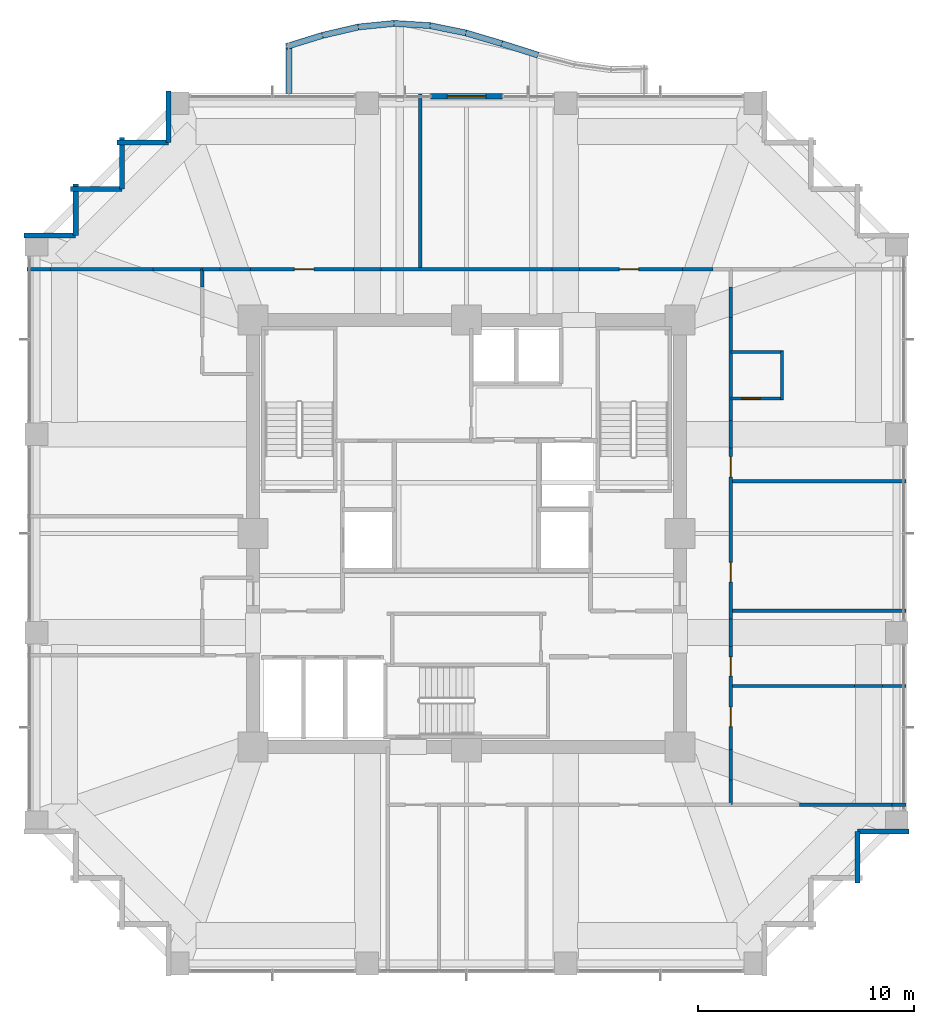
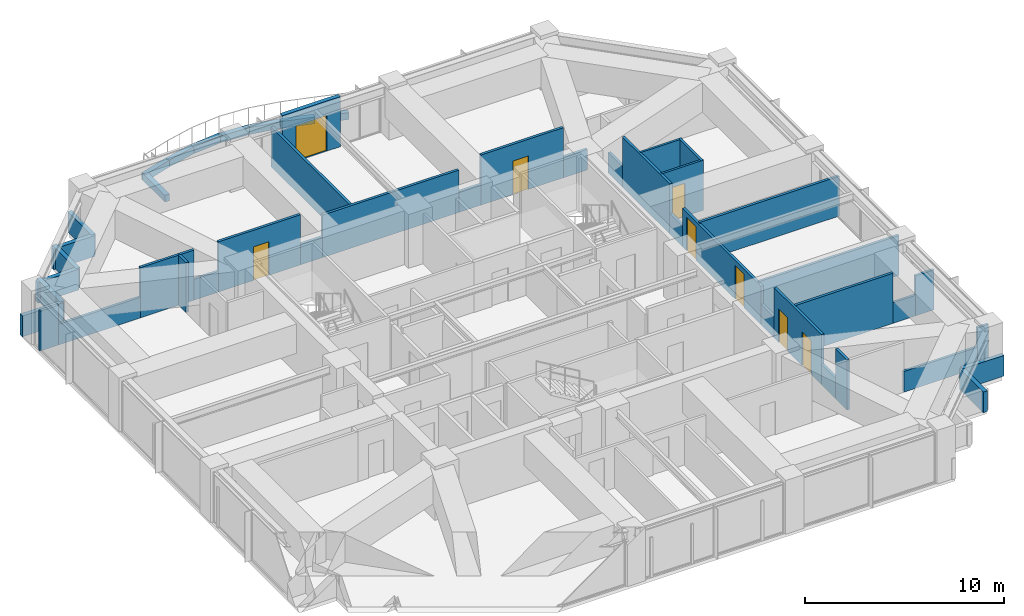
# One storey, part 32 of 34: 48 walls, 8 doors, 8 openings.
"""IFC4 building model written with IfcOpenShell, lengths in metres."""

from ifc_helpers import new_model, si_unit, direction, frame, frame_2d, origin, place, context, subcontext, project, spatial, rectangle, extrude, material, layer, layer_set, type_object, element, fill, save


model = new_model("IFC4")

# Units and contexts
model_context = context("Model", 3, precision=1e-05, world=origin(), true_north=direction((0.0, 1.0)))
body_context = subcontext(model_context, "Body", "Model", "MODEL_VIEW")
ifc_project = project(units=[si_unit("LENGTHUNIT", "METRE"), si_unit("AREAUNIT", "SQUARE_METRE"), si_unit("VOLUMEUNIT", "CUBIC_METRE"), si_unit("PLANEANGLEUNIT", "RADIAN"), si_unit("MASSUNIT", "GRAM", prefix="KILO")], contexts=[model_context])

# Site, building, storey
site_placement = place(None, origin())
site = spatial("IfcSite", under=ifc_project, at=site_placement, CompositionType="ELEMENT")
building_placement = place(site_placement, origin())
building = spatial("IfcBuilding", under=site, at=building_placement, Name="Kolvaren Belvedere", CompositionType="ELEMENT")
storey_placement = place(building_placement, frame((0.0, 0.0, 105.199951171875)))
storey = spatial("IfcBuildingStorey", under=building, at=storey_placement, Name="L30", CompositionType="ELEMENT", Elevation=105.199951171875)

# Walls
ifc_material_1 = material(Name="Gypsum fire-rated partition assembly", Category="gypsum")
ifc_layer_1 = layer(ifc_material_1, 0.14990234375)
ifc_layer_set_1 = layer_set([ifc_layer_1], Name="Gypsum fire-rated partition assembly")
wall_type_1 = type_object("IfcWallType", Name="WL-CORR-150", PredefinedType="PARTITIONING", material=ifc_layer_set_1)
wall_1_placement = place(storey_placement, frame((-12.260009765625, 12.260009765625, 0.0), z_axis=(0.0, 0.0, 1.0), x_axis=(1.0, 0.0, 0.0)))
element("IfcWall", 1, at=wall_1_placement, inside=storey, type_object=wall_type_1, Name="L30 North Corridor Wall", PredefinedType="PARTITIONING", context=body_context, shape_type="SweptSolid", body=[
    extrude(rectangle(XDim=0.829833984375, YDim=0.14990234375, at=frame_2d((0.4150390625, 0.0))), origin(), (0.0, 0.0, 1.0), 3.080078125),
])
wall_2_placement = place(storey_placement, frame((-11.43017578125, 12.260009765625, 0.0), z_axis=(0.0, 0.0, 1.0), x_axis=(1.0, 0.0, 0.0)))
element("IfcWall", 2, at=wall_2_placement, inside=storey, type_object=wall_type_1, Name="L30 North Corridor Wall", PredefinedType="PARTITIONING", context=body_context, shape_type="SweptSolid", body=[
    extrude(rectangle(XDim=1.416748046875, YDim=0.14990234375, at=frame_2d((0.70849609375, 0.0))), origin(), (0.0, 0.0, 1.0), 1.26513671875),
])

# Wall, opening, door
wall_3_placement = place(storey_placement, frame((-10.013427734375, 12.260009765625, 0.0), z_axis=(0.0, 0.0, 1.0), x_axis=(1.0, 0.0, 0.0)))
wall_3 = element("IfcWall", 3, at=wall_3_placement, inside=storey, type_object=wall_type_1, Name="L30 North Corridor Wall", PredefinedType="PARTITIONING", context=body_context, shape_type="SweptSolid", body=[
    extrude(rectangle(XDim=4.771484375, YDim=0.14990234375, at=frame_2d((2.3857421875, 0.0))), origin(), (0.0, 0.0, 1.0), 3.080078125),
])
opening_1_placement = place(wall_3_placement, frame((2.028564453125, 0.0, 0.0)))
opening_1 = element("IfcOpeningElement", 4, at=opening_1_placement, cuts=wall_3, Name="Opening D-INT90", PredefinedType="OPENING", context=body_context, shape_type="SweptSolid", body=[
    extrude(rectangle(XDim=0.89990234375, YDim=2.06005859375, at=frame_2d((0.449951171875, 1.030029296875))), frame((0.0, 0.0849609375, 0.0), z_axis=(0.0, -1.0, 0.0), x_axis=(1.0, 0.0, 0.0)), (0.0, 0.0, 1.0), 0.169921875),
])
ifc_material_2 = material(Name="Stained Pacific white oak", Category="timber")
door_type_1 = type_object("IfcDoorType", Name="DR-INT-900", OperationType="NOTDEFINED", PredefinedType="DOOR", material=ifc_material_2)
door_1_placement = place(opening_1_placement, origin())
door_1 = element("IfcDoor", 5, at=door_1_placement, inside=storey, type_object=door_type_1, Name="L30 Lounge 3001 Door", OperationType="SINGLE_SWING_LEFT", OverallHeight=2.06005859375, OverallWidth=0.89990234375, PredefinedType="DOOR", context=body_context, shape_type="SweptSolid", body=[
    extrude(rectangle(XDim=0.89990234375, YDim=2.06005859375, at=frame_2d((0.449951171875, 1.030029296875))), frame((0.0, 0.02490234375, 0.0), z_axis=(0.0, -1.0, 0.0), x_axis=(1.0, 0.0, 0.0)), (0.0, 0.0, 1.0), 0.050048828125),
])
fill(opening_1, door_1)

# Walls
wall_4_placement = place(storey_placement, frame((-5.241943359375, 12.260009765625, 0.0), z_axis=(0.0, 0.0, 1.0), x_axis=(1.0, 0.0, 0.0)))
element("IfcWall", 6, at=wall_4_placement, inside=storey, type_object=wall_type_1, Name="L30 North Corridor Wall", PredefinedType="PARTITIONING", context=body_context, shape_type="SweptSolid", body=[
    extrude(rectangle(XDim=1.283935546875, YDim=0.14990234375, at=frame_2d((0.64208984375, 0.0))), origin(), (0.0, 0.0, 1.0), 1.26513671875),
])
wall_5_placement = place(storey_placement, frame((-3.9580078125, 12.260009765625, 0.0), z_axis=(0.0, 0.0, 1.0), x_axis=(1.0, 0.0, 0.0)))
element("IfcWall", 7, at=wall_5_placement, inside=storey, type_object=wall_type_1, Name="L30 North Corridor Wall", PredefinedType="PARTITIONING", context=body_context, shape_type="SweptSolid", body=[
    extrude(rectangle(XDim=7.916015625, YDim=0.14990234375, at=frame_2d((3.9580078125, 0.0))), origin(), (0.0, 0.0, 1.0), 2.60498046875),
])
wall_6_placement = place(storey_placement, frame((3.9580078125, 12.260009765625, 0.0), z_axis=(0.0, 0.0, 1.0), x_axis=(1.0, 0.0, 0.0)))
element("IfcWall", 8, at=wall_6_placement, inside=storey, type_object=wall_type_1, Name="L30 North Corridor Wall", PredefinedType="PARTITIONING", context=body_context, shape_type="SweptSolid", body=[
    extrude(rectangle(XDim=1.283935546875, YDim=0.14990234375, at=frame_2d((0.64208984375, 0.0))), origin(), (0.0, 0.0, 1.0), 1.26513671875),
])

# Wall, opening, door
wall_7_placement = place(storey_placement, frame((5.241943359375, 12.260009765625, 0.0), z_axis=(0.0, 0.0, 1.0), x_axis=(1.0, 0.0, 0.0)))
wall_7 = element("IfcWall", 9, at=wall_7_placement, inside=storey, type_object=wall_type_1, Name="L30 North Corridor Wall", PredefinedType="PARTITIONING", context=body_context, shape_type="SweptSolid", body=[
    extrude(rectangle(XDim=4.771484375, YDim=0.14990234375, at=frame_2d((2.3857421875, 0.0))), origin(), (0.0, 0.0, 1.0), 3.080078125),
])
opening_2_placement = place(wall_7_placement, frame((1.843017578125, 0.0, 0.0)))
opening_2 = element("IfcOpeningElement", 10, at=opening_2_placement, cuts=wall_7, Name="Opening D-INT90", PredefinedType="OPENING", context=body_context, shape_type="SweptSolid", body=[
    extrude(rectangle(XDim=0.89990234375, YDim=2.06005859375, at=frame_2d((0.449951171875, 1.030029296875))), frame((0.0, 0.0849609375, 0.0), z_axis=(0.0, -1.0, 0.0), x_axis=(1.0, 0.0, 0.0)), (0.0, 0.0, 1.0), 0.169921875),
])
door_2_placement = place(opening_2_placement, origin())
door_2 = element("IfcDoor", 11, at=door_2_placement, inside=storey, type_object=door_type_1, Name="L30 Lounge 3002 Door", OperationType="SINGLE_SWING_RIGHT", OverallHeight=2.06005859375, OverallWidth=0.89990234375, PredefinedType="DOOR", context=body_context, shape_type="SweptSolid", body=[
    extrude(rectangle(XDim=0.89990234375, YDim=2.06005859375, at=frame_2d((0.449951171875, 1.030029296875))), frame((0.0, 0.02490234375, 0.0), z_axis=(0.0, -1.0, 0.0), x_axis=(1.0, 0.0, 0.0)), (0.0, 0.0, 1.0), 0.050048828125),
])
fill(opening_2, door_2)

# Walls
wall_8_placement = place(storey_placement, frame((10.013427734375, 12.260009765625, 0.0), z_axis=(0.0, 0.0, 1.0), x_axis=(1.0, 0.0, 0.0)))
element("IfcWall", 12, at=wall_8_placement, inside=storey, type_object=wall_type_1, Name="L30 North Corridor Wall", PredefinedType="PARTITIONING", context=body_context, shape_type="SweptSolid", body=[
    extrude(rectangle(XDim=1.416748046875, YDim=0.14990234375, at=frame_2d((0.70849609375, 0.0))), origin(), (0.0, 0.0, 1.0), 1.26513671875),
])
wall_9_placement = place(storey_placement, frame((-12.260009765625, 11.43017578125, 0.0), z_axis=(0.0, 0.0, 1.0), x_axis=(0.0, 1.0, 0.0)))
element("IfcWall", 13, at=wall_9_placement, inside=storey, type_object=wall_type_1, Name="L30 NW Corridor End Wall", PredefinedType="PARTITIONING", context=body_context, shape_type="SweptSolid", body=[
    extrude(rectangle(XDim=0.829833984375, YDim=0.14990234375, at=frame_2d((0.4150390625, 0.0))), origin(), (0.0, 0.0, 1.0), 3.080078125),
])
wall_10_placement = place(storey_placement, frame((12.260009765625, -12.580078125, 0.0), z_axis=(0.0, 0.0, 1.0), x_axis=(0.0, 1.0, 0.0)))
element("IfcWall", 14, at=wall_10_placement, inside=storey, type_object=wall_type_1, Name="L30 East Corridor Wall", PredefinedType="PARTITIONING", context=body_context, shape_type="SweptSolid", body=[
    extrude(rectangle(XDim=1.14990234375, YDim=0.14990234375, at=frame_2d((0.574951171875, 0.0))), origin(), (0.0, 0.0, 1.0), 3.080078125),
])
wall_11_placement = place(storey_placement, frame((12.260009765625, -11.43017578125, 0.0), z_axis=(0.0, 0.0, 1.0), x_axis=(0.0, 1.0, 0.0)))
element("IfcWall", 15, at=wall_11_placement, inside=storey, type_object=wall_type_1, Name="L30 East Corridor Wall", PredefinedType="PARTITIONING", context=body_context, shape_type="SweptSolid", body=[
    extrude(rectangle(XDim=1.416748046875, YDim=0.14990234375, at=frame_2d((0.70849609375, 0.0))), origin(), (0.0, 0.0, 1.0), 1.26513671875),
])

# Wall, openings, doors
wall_12_placement = place(storey_placement, frame((12.260009765625, -10.013427734375, 0.0), z_axis=(0.0, 0.0, 1.0), x_axis=(0.0, 1.0, 0.0)))
wall_12 = element("IfcWall", 16, at=wall_12_placement, inside=storey, type_object=wall_type_1, Name="L30 East Corridor Wall", PredefinedType="PARTITIONING", context=body_context, shape_type="SweptSolid", body=[
    extrude(rectangle(XDim=4.771484375, YDim=0.14990234375, at=frame_2d((2.3857421875, 0.0))), origin(), (0.0, 0.0, 1.0), 3.080078125),
])
opening_3_placement = place(wall_12_placement, frame((1.055419921875, 0.0, 0.0)))
opening_3 = element("IfcOpeningElement", 17, at=opening_3_placement, cuts=wall_12, Name="Opening D-INT90", PredefinedType="OPENING", context=body_context, shape_type="SweptSolid", body=[
    extrude(rectangle(XDim=0.89990234375, YDim=2.06005859375, at=frame_2d((0.449951171875, 1.030029296875))), frame((0.0, 0.0849609375, 0.0), z_axis=(0.0, -1.0, 0.0), x_axis=(1.0, 0.0, 0.0)), (0.0, 0.0, 1.0), 0.169921875),
])
opening_4_placement = place(wall_12_placement, frame((3.390380859375, 0.0, 0.0)))
opening_4 = element("IfcOpeningElement", 18, at=opening_4_placement, cuts=wall_12, Name="Opening D-INT90", PredefinedType="OPENING", context=body_context, shape_type="SweptSolid", body=[
    extrude(rectangle(XDim=0.89990234375, YDim=2.06005859375, at=frame_2d((0.449951171875, 1.030029296875))), frame((0.0, 0.0849609375, 0.0), z_axis=(0.0, -1.0, 0.0), x_axis=(1.0, 0.0, 0.0)), (0.0, 0.0, 1.0), 0.169921875),
])
door_3_placement = place(opening_3_placement, origin())
door_3 = element("IfcDoor", 19, at=door_3_placement, inside=storey, type_object=door_type_1, Name="L30 Guest Tea & Espresso Kitchen 3003 Door", OperationType="SINGLE_SWING_LEFT", OverallHeight=2.06005859375, OverallWidth=0.89990234375, PredefinedType="DOOR", context=body_context, shape_type="SweptSolid", body=[
    extrude(rectangle(XDim=0.89990234375, YDim=2.06005859375, at=frame_2d((0.449951171875, 1.030029296875))), frame((0.0, 0.02490234375, 0.0), z_axis=(0.0, -1.0, 0.0), x_axis=(1.0, 0.0, 0.0)), (0.0, 0.0, 1.0), 0.050048828125),
])
fill(opening_3, door_3)
door_4_placement = place(opening_4_placement, origin())
door_4 = element("IfcDoor", 20, at=door_4_placement, inside=storey, type_object=door_type_1, Name="L30 Private Hospitality Meeting Room 3004 Door", OperationType="SINGLE_SWING_RIGHT", OverallHeight=2.06005859375, OverallWidth=0.89990234375, PredefinedType="DOOR", context=body_context, shape_type="SweptSolid", body=[
    extrude(rectangle(XDim=0.89990234375, YDim=2.06005859375, at=frame_2d((0.449951171875, 1.030029296875))), frame((0.0, 0.02490234375, 0.0), z_axis=(0.0, -1.0, 0.0), x_axis=(1.0, 0.0, 0.0)), (0.0, 0.0, 1.0), 0.050048828125),
])
fill(opening_4, door_4)

# Wall
wall_13_placement = place(storey_placement, frame((12.260009765625, -5.241943359375, 0.0), z_axis=(0.0, 0.0, 1.0), x_axis=(0.0, 1.0, 0.0)))
element("IfcWall", 21, at=wall_13_placement, inside=storey, type_object=wall_type_1, Name="L30 East Corridor Wall", PredefinedType="PARTITIONING", context=body_context, shape_type="SweptSolid", body=[
    extrude(rectangle(XDim=1.283935546875, YDim=0.14990234375, at=frame_2d((0.64208984375, 0.0))), origin(), (0.0, 0.0, 1.0), 1.26513671875),
])

# Wall, openings, doors
wall_14_placement = place(storey_placement, frame((12.260009765625, -3.9580078125, 0.0), z_axis=(0.0, 0.0, 1.0), x_axis=(0.0, 1.0, 0.0)))
wall_14 = element("IfcWall", 22, at=wall_14_placement, inside=storey, type_object=wall_type_1, Name="L30 East Corridor Wall", PredefinedType="PARTITIONING", context=body_context, shape_type="SweptSolid", body=[
    extrude(rectangle(XDim=7.916015625, YDim=0.14990234375, at=frame_2d((3.9580078125, 0.0))), origin(), (0.0, 0.0, 1.0), 2.369140625),
])
opening_5_placement = place(wall_14_placement, frame((1.716064453125, 0.0, 0.0)))
opening_5 = element("IfcOpeningElement", 23, at=opening_5_placement, cuts=wall_14, Name="Opening D-INT90", PredefinedType="OPENING", context=body_context, shape_type="SweptSolid", body=[
    extrude(rectangle(XDim=0.89990234375, YDim=2.06005859375, at=frame_2d((0.449951171875, 1.030029296875))), frame((0.0, 0.0849609375, 0.0), z_axis=(0.0, -1.0, 0.0), x_axis=(1.0, 0.0, 0.0)), (0.0, 0.0, 1.0), 0.169921875),
])
opening_6_placement = place(wall_14_placement, frame((6.5673828125, 0.0, 0.0)))
opening_6 = element("IfcOpeningElement", 24, at=opening_6_placement, cuts=wall_14, Name="Opening D-FD60", PredefinedType="OPENING", context=body_context, shape_type="SweptSolid", body=[
    extrude(rectangle(XDim=0.949951171875, YDim=2.06005859375, at=frame_2d((0.47509765625, 1.030029296875))), frame((0.0, 0.0849609375, 0.0), z_axis=(0.0, -1.0, 0.0), x_axis=(1.0, 0.0, 0.0)), (0.0, 0.0, 1.0), 0.169921875),
])
ifc_material_3 = material(Name="Acoustic white-oak fire door leaf", Category="timber")
door_type_2 = type_object("IfcDoorType", Name="DR-FD60-950", OperationType="NOTDEFINED", PredefinedType="DOOR", material=ifc_material_3)
door_5_placement = place(opening_6_placement, origin())
door_5 = element("IfcDoor", 25, at=door_5_placement, inside=storey, type_object=door_type_2, Name="L30 Deluxe King Guest Room 3006 Entry Door", OperationType="SINGLE_SWING_LEFT", OverallHeight=2.06005859375, OverallWidth=0.949951171875, PredefinedType="DOOR", context=body_context, shape_type="SweptSolid", body=[
    extrude(rectangle(XDim=0.949951171875, YDim=2.06005859375, at=frame_2d((0.47509765625, 1.030029296875))), frame((0.0, 0.02490234375, 0.0), z_axis=(0.0, -1.0, 0.0), x_axis=(1.0, 0.0, 0.0)), (0.0, 0.0, 1.0), 0.050048828125),
])
fill(opening_6, door_5)
door_6_placement = place(opening_5_placement, origin())
door_6 = element("IfcDoor", 26, at=door_6_placement, inside=storey, type_object=door_type_1, Name="L30 Botanical Reading Salon 3005 Door", OperationType="SINGLE_SWING_LEFT", OverallHeight=2.06005859375, OverallWidth=0.89990234375, PredefinedType="DOOR", context=body_context, shape_type="SweptSolid", body=[
    extrude(rectangle(XDim=0.89990234375, YDim=2.06005859375, at=frame_2d((0.449951171875, 1.030029296875))), frame((0.0, 0.02490234375, 0.0), z_axis=(0.0, -1.0, 0.0), x_axis=(1.0, 0.0, 0.0)), (0.0, 0.0, 1.0), 0.050048828125),
])
fill(opening_5, door_6)

# Walls
wall_15_placement = place(storey_placement, frame((12.260009765625, 3.9580078125, 0.0), z_axis=(0.0, 0.0, 1.0), x_axis=(0.0, 1.0, 0.0)))
element("IfcWall", 27, at=wall_15_placement, inside=storey, type_object=wall_type_1, Name="L30 East Corridor Wall", PredefinedType="PARTITIONING", context=body_context, shape_type="SweptSolid", body=[
    extrude(rectangle(XDim=1.283935546875, YDim=0.14990234375, at=frame_2d((0.64208984375, 0.0))), origin(), (0.0, 0.0, 1.0), 1.26513671875),
])
wall_16_placement = place(storey_placement, frame((12.260009765625, 5.241943359375, 0.0), z_axis=(0.0, 0.0, 1.0), x_axis=(0.0, 1.0, 0.0)))
element("IfcWall", 28, at=wall_16_placement, inside=storey, type_object=wall_type_1, Name="L30 East Corridor Wall", PredefinedType="PARTITIONING", context=body_context, shape_type="SweptSolid", body=[
    extrude(rectangle(XDim=4.771484375, YDim=0.14990234375, at=frame_2d((2.3857421875, 0.0))), origin(), (0.0, 0.0, 1.0), 3.080078125),
])
wall_17_placement = place(storey_placement, frame((12.260009765625, 10.013427734375, 0.0), z_axis=(0.0, 0.0, 1.0), x_axis=(0.0, 1.0, 0.0)))
element("IfcWall", 29, at=wall_17_placement, inside=storey, type_object=wall_type_1, Name="L30 East Corridor Wall", PredefinedType="PARTITIONING", context=body_context, shape_type="SweptSolid", body=[
    extrude(rectangle(XDim=1.416748046875, YDim=0.14990234375, at=frame_2d((0.70849609375, 0.0))), origin(), (0.0, 0.0, 1.0), 1.26513671875),
])
ifc_material_4 = material(Name="Insulated pale-metal facade wall assembly", Category="aluminium")
ifc_layer_2 = layer(ifc_material_4, 0.239990234375)
ifc_layer_set_2 = layer_set([ifc_layer_2], Name="Insulated pale-metal facade wall assembly")
wall_type_2 = type_object("IfcWallType", Name="WL-EXT-240", PredefinedType="STANDARD", material=ifc_layer_set_2)
wall_18_placement = place(storey_placement, frame((18.1298828125, -13.830078125, 0.0), z_axis=(0.0, 0.0, 1.0), x_axis=(0.0, -1.0, 0.0)))
element("IfcWall", 30, at=wall_18_placement, inside=storey, type_object=wall_type_2, Name="L30 Serrated Corner Facade Wall 6", PredefinedType="STANDARD", context=body_context, shape_type="SweptSolid", body=[
    extrude(rectangle(XDim=2.389892578125, YDim=0.239990234375, at=frame_2d((1.19482421875, 0.0))), origin(), (0.0, 0.0, 1.0), 1.275146484375),
])
wall_19_placement = place(storey_placement, frame((20.52001953125, -13.830078125, 0.0), z_axis=(0.0, 0.0, 1.0), x_axis=(-1.0, 0.0, 0.0)))
element("IfcWall", 31, at=wall_19_placement, inside=storey, type_object=wall_type_2, Name="L30 Serrated Corner Facade Wall 7", PredefinedType="STANDARD", context=body_context, shape_type="SweptSolid", body=[
    extrude(rectangle(XDim=2.39013671875, YDim=0.239990234375, at=frame_2d((1.195068359375, 0.0))), origin(), (0.0, 0.0, 1.0), 1.275146484375),
])

# Wall, opening, door
wall_20_placement = place(storey_placement, frame((-1.679931640625, 20.280029296875, 0.0), z_axis=(0.0, 0.0, 1.0), x_axis=(1.0, 0.0, 0.0)))
wall_20 = element("IfcWall", 32, at=wall_20_placement, inside=storey, type_object=wall_type_2, Name="L30 North Terrace Portal Wall", PredefinedType="STANDARD", context=body_context, shape_type="SweptSolid", body=[
    extrude(rectangle(XDim=3.35986328125, YDim=0.239990234375, at=frame_2d((1.679931640625, 0.0))), origin(), (0.0, 0.0, 1.0), 3.080078125),
])
opening_7_placement = place(wall_20_placement, frame((0.780029296875, 0.0, 0.0)))
opening_7 = element("IfcOpeningElement", 33, at=opening_7_placement, cuts=wall_20, Name="Opening DB-1800", PredefinedType="OPENING", context=body_context, shape_type="SweptSolid", body=[
    extrude(rectangle(XDim=1.800048828125, YDim=2.199951171875, at=frame_2d((0.89990234375, 1.10009765625))), frame((0.0, 0.1298828125, 0.0), z_axis=(0.0, -1.0, 0.0), x_axis=(1.0, 0.0, 0.0)), (0.0, 0.0, 1.0), 0.260009765625),
])
ifc_material_5 = material(Name="Thermally broken pale-metal aluminium & low-iron glass", Category="aluminium")
door_type_3 = type_object("IfcDoorType", Name="DR-BAL-1800", OperationType="DOUBLE_DOOR_SLIDING", PredefinedType="DOOR", material=ifc_material_5)
door_7_placement = place(opening_7_placement, origin())
door_7 = element("IfcDoor", 34, at=door_7_placement, inside=storey, type_object=door_type_3, Name="L30 North Planted Terrace Sliding Door", OperationType="DOUBLE_DOOR_SLIDING", OverallHeight=2.199951171875, OverallWidth=1.800048828125, PredefinedType="DOOR", context=body_context, shape_type="SweptSolid", body=[
    extrude(rectangle(XDim=1.800048828125, YDim=2.199951171875, at=frame_2d((0.89990234375, 1.10009765625))), frame((0.0, 0.02490234375, 0.0), z_axis=(0.0, -1.0, 0.0), x_axis=(1.0, 0.0, 0.0)), (0.0, 0.0, 1.0), 0.050048828125),
])
fill(opening_7, door_7)

# Walls
wall_21_placement = place(storey_placement, frame((-13.830078125, 18.1298828125, 0.0), z_axis=(0.0, 0.0, 1.0), x_axis=(0.0, 1.0, 0.0)))
element("IfcWall", 35, at=wall_21_placement, inside=storey, type_object=wall_type_2, Name="L30 Serrated Corner Facade Wall 16", PredefinedType="STANDARD", context=body_context, shape_type="SweptSolid", body=[
    extrude(rectangle(XDim=2.39013671875, YDim=0.239990234375, at=frame_2d((1.195068359375, 0.0))), origin(), (0.0, 0.0, 1.0), 1.275146484375),
])
wall_22_placement = place(storey_placement, frame((-16.219970703125, 18.1298828125, 0.0), z_axis=(0.0, 0.0, 1.0), x_axis=(1.0, 0.0, 0.0)))
element("IfcWall", 36, at=wall_22_placement, inside=storey, type_object=wall_type_2, Name="L30 Serrated Corner Facade Wall 17", PredefinedType="STANDARD", context=body_context, shape_type="SweptSolid", body=[
    extrude(rectangle(XDim=2.389892578125, YDim=0.239990234375, at=frame_2d((1.19482421875, 0.0))), origin(), (0.0, 0.0, 1.0), 1.275146484375),
])
for number, where, z_axis, x_axis, name in (
    (37, (-15.97998046875, 15.97998046875, 0.0), (0.0, 0.0, 1.0), (0.0, 1.0, 0.0), "L30 Serrated Corner Facade Wall 18"),
    (38, (-18.3701171875, 15.97998046875, 0.0), (0.0, 0.0, 1.0), (1.0, 0.0, 0.0), "L30 Serrated Corner Facade Wall 19"),
):
    element("IfcWall", number, at=place(storey_placement, frame(where, z_axis=z_axis, x_axis=x_axis)), inside=storey, type_object=wall_type_2, Name=name, PredefinedType="STANDARD", context=body_context, shape_type="SweptSolid", body=[
        extrude(rectangle(XDim=2.39013671875, YDim=0.239990234375, at=frame_2d((1.195068359375, 0.0))), origin(), (0.0, 0.0, 1.0), 1.275146484375),
    ])
wall_23_placement = place(storey_placement, frame((-18.1298828125, 13.830078125, 0.0), z_axis=(0.0, 0.0, 1.0), x_axis=(0.0, 1.0, 0.0)))
element("IfcWall", 39, at=wall_23_placement, inside=storey, type_object=wall_type_2, Name="L30 Serrated Corner Facade Wall 20", PredefinedType="STANDARD", context=body_context, shape_type="SweptSolid", body=[
    extrude(rectangle(XDim=2.389892578125, YDim=0.239990234375, at=frame_2d((1.19482421875, 0.0))), origin(), (0.0, 0.0, 1.0), 1.275146484375),
])
wall_24_placement = place(storey_placement, frame((-20.52001953125, 13.830078125, 0.0), z_axis=(0.0, 0.0, 1.0), x_axis=(1.0, 0.0, 0.0)))
element("IfcWall", 40, at=wall_24_placement, inside=storey, type_object=wall_type_2, Name="L30 Serrated Corner Facade Wall 21", PredefinedType="STANDARD", context=body_context, shape_type="SweptSolid", body=[
    extrude(rectangle(XDim=2.39013671875, YDim=0.239990234375, at=frame_2d((1.195068359375, 0.0))), origin(), (0.0, 0.0, 1.0), 1.275146484375),
])
ifc_material_6 = material(Name="Gypsum acoustic partition assembly", Category="gypsum")
ifc_layer_3 = layer(ifc_material_6, 0.14990234375)
ifc_layer_set_3 = layer_set([ifc_layer_3], Name="Gypsum acoustic partition assembly")
wall_type_3 = type_object("IfcWallType", Name="WL-PART-150", PredefinedType="PARTITIONING", material=ifc_layer_set_3)
wall_25_placement = place(storey_placement, frame((15.454833984375, -12.580078125, 0.0), z_axis=(0.0, 0.0, 1.0), x_axis=(1.0, 0.0, 0.0)))
element("IfcWall", 41, at=wall_25_placement, inside=storey, type_object=wall_type_3, Name="L30 Wing Divider PW-L30-QSE", PredefinedType="PARTITIONING", context=body_context, shape_type="SweptSolid", body=[
    extrude(rectangle(XDim=4.28125, YDim=0.14990234375, at=frame_2d((2.140625, 0.0))), origin(), (0.0, 0.0, 1.0), 1.26513671875),
])
wall_26_placement = place(storey_placement, frame((19.736083984375, -12.580078125, 0.0), z_axis=(0.0, 0.0, 1.0), x_axis=(1.0, 0.0, 0.0)))
element("IfcWall", 42, at=wall_26_placement, inside=storey, type_object=wall_type_3, Name="L30 Wing Divider PW-L30-QSE", PredefinedType="PARTITIONING", context=body_context, shape_type="SweptSolid", body=[
    extrude(rectangle(XDim=0.643798828125, YDim=0.14990234375, at=frame_2d((0.32177734375, 0.0))), origin(), (0.0, 0.0, 1.0), 2.448974609375),
])
wall_27_placement = place(storey_placement, frame((-20.3798828125, 12.260009765625, 0.0), z_axis=(0.0, 0.0, 1.0), x_axis=(1.0, 0.0, 0.0)))
element("IfcWall", 43, at=wall_27_placement, inside=storey, type_object=wall_type_3, Name="L30 Wing Divider PW-L30-QNW", PredefinedType="PARTITIONING", context=body_context, shape_type="SweptSolid", body=[
    extrude(rectangle(XDim=1.087890625, YDim=0.14990234375, at=frame_2d((0.5439453125, 0.0))), origin(), (0.0, 0.0, 1.0), 2.448974609375),
])
wall_28_placement = place(storey_placement, frame((-19.2919921875, 12.260009765625, 0.0), z_axis=(0.0, 0.0, 1.0), x_axis=(1.0, 0.0, 0.0)))
element("IfcWall", 44, at=wall_28_placement, inside=storey, type_object=wall_type_3, Name="L30 Wing Divider PW-L30-QNW", PredefinedType="PARTITIONING", context=body_context, shape_type="SweptSolid", body=[
    extrude(rectangle(XDim=4.756103515625, YDim=0.14990234375, at=frame_2d((2.3779296875, 0.0))), origin(), (0.0, 0.0, 1.0), 1.26513671875),
])
wall_29_placement = place(storey_placement, frame((-14.535888671875, 12.260009765625, 0.0), z_axis=(0.0, 0.0, 1.0), x_axis=(1.0, 0.0, 0.0)))
element("IfcWall", 45, at=wall_29_placement, inside=storey, type_object=wall_type_3, Name="L30 Wing Divider PW-L30-QNW", PredefinedType="PARTITIONING", context=body_context, shape_type="SweptSolid", body=[
    extrude(rectangle(XDim=2.27587890625, YDim=0.14990234375, at=frame_2d((1.137939453125, 0.0))), origin(), (0.0, 0.0, 1.0), 3.080078125),
])
wall_30_placement = place(storey_placement, frame((-2.14794921875, 12.260009765625, 0.0), z_axis=(0.0, 0.0, 1.0), x_axis=(0.0, 1.0, 0.0)))
element("IfcWall", 46, at=wall_30_placement, inside=storey, type_object=wall_type_3, Name="L30 North Suite Demising Wall 1", PredefinedType="PARTITIONING", context=body_context, shape_type="SweptSolid", body=[
    extrude(rectangle(XDim=8.119873046875, YDim=0.14990234375, at=frame_2d((4.06005859375, 0.0))), origin(), (0.0, 0.0, 1.0), 2.448974609375),
])
wall_31_placement = place(storey_placement, frame((12.260009765625, -7.080078125, 0.0), z_axis=(0.0, 0.0, 1.0), x_axis=(1.0, 0.0, 0.0)))
element("IfcWall", 47, at=wall_31_placement, inside=storey, type_object=wall_type_3, Name="L30 East Suite Demising Wall 1", PredefinedType="PARTITIONING", context=body_context, shape_type="SweptSolid", body=[
    extrude(rectangle(XDim=5.748046875, YDim=0.14990234375, at=frame_2d((2.8740234375, 0.0))), origin(), (0.0, 0.0, 1.0), 3.080078125),
])
wall_32_placement = place(storey_placement, frame((18.008056640625, -7.080078125, 0.0), z_axis=(0.0, 0.0, 1.0), x_axis=(1.0, 0.0, 0.0)))
element("IfcWall", 48, at=wall_32_placement, inside=storey, type_object=wall_type_3, Name="L30 East Suite Demising Wall 1", PredefinedType="PARTITIONING", context=body_context, shape_type="SweptSolid", body=[
    extrude(rectangle(XDim=1.283935546875, YDim=0.14990234375, at=frame_2d((0.64208984375, 0.0))), origin(), (0.0, 0.0, 1.0), 1.26513671875),
])
wall_33_placement = place(storey_placement, frame((19.2919921875, -7.080078125, 0.0), z_axis=(0.0, 0.0, 1.0), x_axis=(1.0, 0.0, 0.0)))
element("IfcWall", 49, at=wall_33_placement, inside=storey, type_object=wall_type_3, Name="L30 East Suite Demising Wall 1", PredefinedType="PARTITIONING", context=body_context, shape_type="SweptSolid", body=[
    extrude(rectangle(XDim=1.087890625, YDim=0.14990234375, at=frame_2d((0.5439453125, 0.0))), origin(), (0.0, 0.0, 1.0), 2.448974609375),
])
for number, where, z_axis, x_axis, name in (
    (50, (12.260009765625, -3.580078125, 0.0), (0.0, 0.0, 1.0), (1.0, 0.0, 0.0), "L30 East Suite Demising Wall 2"),
    (51, (12.260009765625, 2.419921875, 0.0), (0.0, 0.0, 1.0), (1.0, 0.0, 0.0), "L30 East Suite Demising Wall 3"),
):
    element("IfcWall", number, at=place(storey_placement, frame(where, z_axis=z_axis, x_axis=x_axis)), inside=storey, type_object=wall_type_3, Name=name, PredefinedType="PARTITIONING", context=body_context, shape_type="SweptSolid", body=[
        extrude(rectangle(XDim=8.119873046875, YDim=0.14990234375, at=frame_2d((4.06005859375, 0.0))), origin(), (0.0, 0.0, 1.0), 2.448974609375),
    ])
ifc_material_7 = material(Name="Precast concrete C40/50", Category="concrete")
ifc_layer_4 = layer(ifc_material_7, 0.300048828125)
ifc_layer_set_4 = layer_set([ifc_layer_4], Name="Precast concrete C40/50")
wall_type_4 = type_object("IfcWallType", Name="WL-PLANTER-300", PredefinedType="PARAPET", material=ifc_layer_set_4)
wall_34_placement = place(storey_placement, frame((3.3115234375, 22.18994140625, -0.0400390625), z_axis=(0.0, 0.0, 1.0), x_axis=(-0.953181954832, 0.302397356111, 0.0)))
element("IfcWall", 52, at=wall_34_placement, inside=storey, type_object=wall_type_4, Name="L30 Precast Structural Planter Wall BAL-N-15", PredefinedType="PARAPET", context=body_context, shape_type="SweptSolid", body=[
    extrude(rectangle(XDim=1.762451171875, YDim=0.280029296875, at=frame_2d((0.88134765625, 0.0))), origin(), (0.0, 0.0, 1.0), 0.420166015625),
])
wall_35_placement = place(storey_placement, frame((1.634521484375, 22.721923828125, -0.0400390625), z_axis=(0.0, 0.0, 1.0), x_axis=(-0.958536356279, 0.284970268083, 0.0)))
element("IfcWall", 53, at=wall_35_placement, inside=storey, type_object=wall_type_4, Name="L30 Precast Structural Planter Wall BAL-N-16", PredefinedType="PARAPET", context=body_context, shape_type="SweptSolid", body=[
    extrude(rectangle(XDim=1.7529296875, YDim=0.280029296875, at=frame_2d((0.87646484375, 0.0))), origin(), (0.0, 0.0, 1.0), 0.420166015625),
])
wall_36_placement = place(storey_placement, frame((-0.031982421875, 23.218017578125, -0.0400390625), z_axis=(0.0, 0.0, 1.0), x_axis=(-0.979867779516, 0.199647526069, 0.0)))
element("IfcWall", 54, at=wall_36_placement, inside=storey, type_object=wall_type_4, Name="L30 Precast Structural Planter Wall BAL-N-17", PredefinedType="PARAPET", context=body_context, shape_type="SweptSolid", body=[
    extrude(rectangle(XDim=1.71435546875, YDim=0.280029296875, at=frame_2d((0.857177734375, 0.0))), origin(), (0.0, 0.0, 1.0), 0.420166015625),
])
wall_37_placement = place(storey_placement, frame((-1.689697265625, 23.5576171875, -0.0400390625), z_axis=(0.0, 0.0, 1.0), x_axis=(-0.998134101522, 0.061059932685, 0.0)))
element("IfcWall", 55, at=wall_37_placement, inside=storey, type_object=wall_type_4, Name="L30 Precast Structural Planter Wall BAL-N-18", PredefinedType="PARAPET", context=body_context, shape_type="SweptSolid", body=[
    extrude(rectangle(XDim=1.683349609375, YDim=0.280029296875, at=frame_2d((0.841796875, 0.0))), origin(), (0.0, 0.0, 1.0), 0.420166015625),
])
wall_38_placement = place(storey_placement, frame((-3.343994140625, 23.660888671875, -0.0400390625), z_axis=(0.0, 0.0, 1.0), x_axis=(-0.995025731437, -0.099618240186, 0.0)))
element("IfcWall", 56, at=wall_38_placement, inside=storey, type_object=wall_type_4, Name="L30 Precast Structural Planter Wall BAL-N-19", PredefinedType="PARAPET", context=body_context, shape_type="SweptSolid", body=[
    extrude(rectangle(XDim=1.6884765625, YDim=0.280029296875, at=frame_2d((0.84423828125, 0.0))), origin(), (0.0, 0.0, 1.0), 0.420166015625),
])
wall_39_placement = place(storey_placement, frame((-5.003662109375, 23.49609375, -0.0400390625), z_axis=(0.0, 0.0, 1.0), x_axis=(-0.973890253884, -0.227019323824, 0.0)))
element("IfcWall", 57, at=wall_39_placement, inside=storey, type_object=wall_type_4, Name="L30 Precast Structural Planter Wall BAL-N-20", PredefinedType="PARAPET", context=body_context, shape_type="SweptSolid", body=[
    extrude(rectangle(XDim=1.724853515625, YDim=0.280029296875, at=frame_2d((0.8623046875, 0.0))), origin(), (0.0, 0.0, 1.0), 0.420166015625),
])
wall_40_placement = place(storey_placement, frame((-6.672607421875, 23.107421875, -0.0400390625), z_axis=(0.0, 0.0, 1.0), x_axis=(-0.955252278476, -0.29579229954, 0.0)))
element("IfcWall", 58, at=wall_40_placement, inside=storey, type_object=wall_type_4, Name="L30 Precast Structural Planter Wall BAL-N-21", PredefinedType="PARAPET", context=body_context, shape_type="SweptSolid", body=[
    extrude(rectangle(XDim=1.7587890625, YDim=0.280029296875, at=frame_2d((0.87939453125, 0.0))), origin(), (0.0, 0.0, 1.0), 0.420166015625),
])
wall_41_placement = place(storey_placement, frame((-8.239990234375, 22.739990234375, -0.0400390625), z_axis=(0.0, 0.0, 1.0), x_axis=(0.0, -1.0, 0.0)))
element("IfcWall", 59, at=wall_41_placement, inside=storey, type_object=wall_type_4, Name="L30 Precast Structural Planter Wall BAL-N-22", PredefinedType="PARAPET", context=body_context, shape_type="SweptSolid", body=[
    extrude(rectangle(XDim=2.340087890625, YDim=0.280029296875, at=frame_2d((1.169921875, 0.0))), origin(), (0.0, 0.0, 1.0), 0.420166015625),
])

# Wall, opening, door
ifc_material_8 = material(Name="Moisture-resistant gypsum partition", Category="gypsum")
ifc_layer_5 = layer(ifc_material_8, 0.125)
ifc_layer_set_5 = layer_set([ifc_layer_5], Name="Moisture-resistant gypsum partition")
wall_type_5 = type_object("IfcWallType", Name="WL-WET-125", PredefinedType="PARTITIONING", material=ifc_layer_set_5)
wall_42_placement = place(storey_placement, frame((12.27490234375, 6.264892578125, 0.0), z_axis=(0.0, 0.0, 1.0), x_axis=(1.0, 0.0, 0.0)))
wall_42 = element("IfcWall", 60, at=wall_42_placement, inside=storey, type_object=wall_type_5, Name="L30 Bathroom Partition PW-L30-BTH-6-N", PredefinedType="PARTITIONING", context=body_context, shape_type="SweptSolid", body=[
    extrude(rectangle(XDim=2.440185546875, YDim=0.125, at=frame_2d((1.22021484375, 0.0))), origin(), (0.0, 0.0, 1.0), 3.080078125),
])
opening_8_placement = place(wall_42_placement, frame((0.5, 0.0, 0.0)))
opening_8 = element("IfcOpeningElement", 61, at=opening_8_placement, cuts=wall_42, Name="Opening D-BTH85", PredefinedType="OPENING", context=body_context, shape_type="SweptSolid", body=[
    extrude(rectangle(XDim=0.85009765625, YDim=2.030029296875, at=frame_2d((0.425048828125, 1.01513671875))), frame((0.0, 0.072509765625, 0.0), z_axis=(0.0, -1.0, 0.0), x_axis=(1.0, 0.0, 0.0)), (0.0, 0.0, 1.0), 0.14501953125),
])
ifc_material_9 = material(Name="Moisture-sealed Pacific white oak", Category="timber")
door_type_4 = type_object("IfcDoorType", Name="DR-BATH-850", OperationType="NOTDEFINED", PredefinedType="DOOR", material=ifc_material_9)
door_8_placement = place(opening_8_placement, origin())
door_8 = element("IfcDoor", 62, at=door_8_placement, inside=storey, type_object=door_type_4, Name="L30 En-Suite Bathroom 3006 Door", OperationType="SINGLE_SWING_RIGHT", OverallHeight=2.030029296875, OverallWidth=0.85009765625, PredefinedType="DOOR", context=body_context, shape_type="SweptSolid", body=[
    extrude(rectangle(XDim=0.85009765625, YDim=2.030029296875, at=frame_2d((0.425048828125, 1.01513671875))), frame((0.0, 0.02490234375, 0.0), z_axis=(0.0, -1.0, 0.0), x_axis=(1.0, 0.0, 0.0)), (0.0, 0.0, 1.0), 0.050048828125),
])
fill(opening_8, door_8)

# Walls
wall_43_placement = place(storey_placement, frame((14.635009765625, 6.205078125, 0.0), z_axis=(0.0, 0.0, 1.0), x_axis=(0.0, 1.0, 0.0)))
element("IfcWall", 63, at=wall_43_placement, inside=storey, type_object=wall_type_5, Name="L30 Bathroom Partition PW-L30-BTH-6-V", PredefinedType="PARTITIONING", context=body_context, shape_type="SweptSolid", body=[
    extrude(rectangle(XDim=2.27001953125, YDim=0.125, at=frame_2d((1.135009765625, 0.0))), origin(), (0.0, 0.0, 1.0), 3.080078125),
])
wall_44_placement = place(storey_placement, frame((12.27490234375, 8.4150390625, 0.0), z_axis=(0.0, 0.0, 1.0), x_axis=(1.0, 0.0, 0.0)))
element("IfcWall", 64, at=wall_44_placement, inside=storey, type_object=wall_type_5, Name="L30 Bathroom Partition PW-L30-BTH-6-S", PredefinedType="PARTITIONING", context=body_context, shape_type="SweptSolid", body=[
    extrude(rectangle(XDim=2.440185546875, YDim=0.125, at=frame_2d((1.22021484375, 0.0))), origin(), (0.0, 0.0, 1.0), 3.080078125),
])

save(model, "model.ifc")
